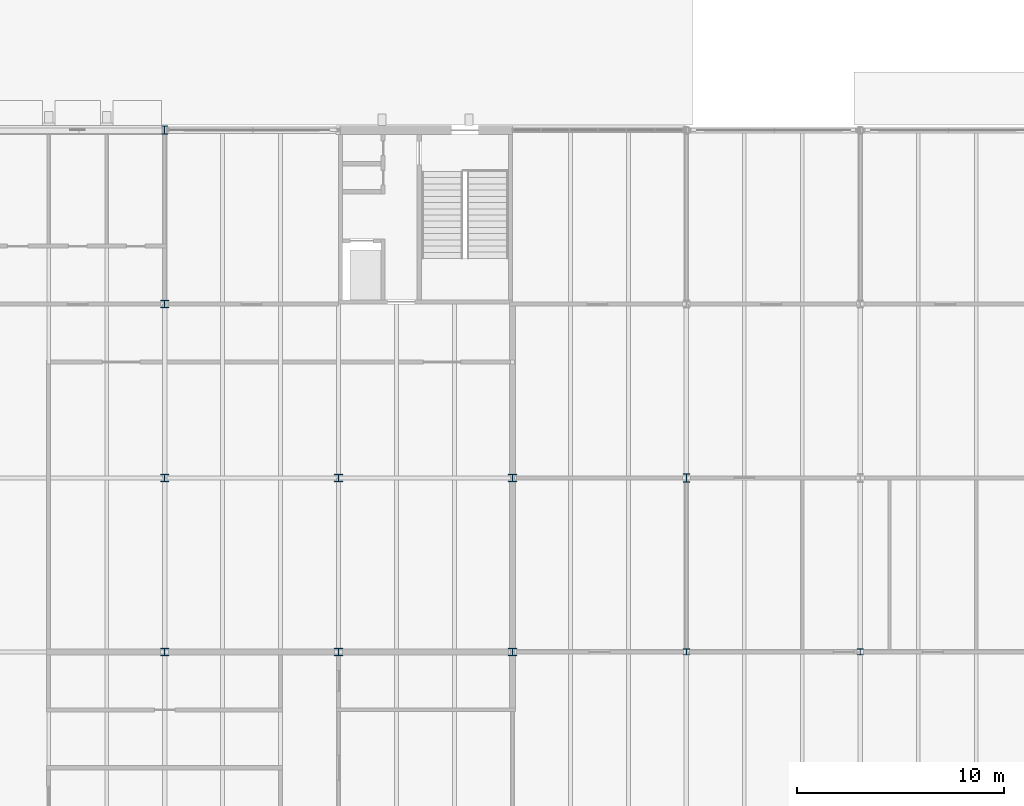
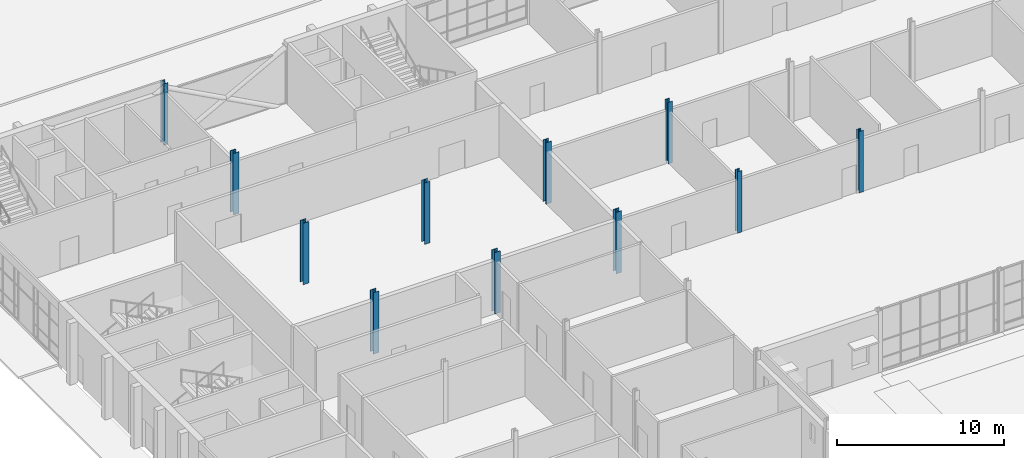
# One storey, part 13 of 116: 11 columns.
"""IFC4 building model written with IfcOpenShell, lengths in metres."""

from ifc_helpers import new_model, si_unit, direction, frame, origin, origin_2d, place, context, subcontext, project, spatial, i_section, extrude, material, material_profile, profile_set, type_object, element, save


model = new_model("IFC4")

# Units and contexts
model_context = context("Model", 3, precision=1e-05, world=origin(), true_north=direction((0.0, 1.0)))
body_context = subcontext(model_context, "Body", "Model", "MODEL_VIEW")
ifc_project = project(units=[si_unit("LENGTHUNIT", "METRE"), si_unit("AREAUNIT", "SQUARE_METRE"), si_unit("VOLUMEUNIT", "CUBIC_METRE"), si_unit("PLANEANGLEUNIT", "RADIAN"), si_unit("MASSUNIT", "GRAM", prefix="KILO")], contexts=[model_context])

# Site, building, storey
site_placement = place(None, origin())
site = spatial("IfcSite", under=ifc_project, at=site_placement, CompositionType="ELEMENT")
building_placement = place(site_placement, origin())
building = spatial("IfcBuilding", under=site, at=building_placement, Name="Ardhachandra Cancer Care Centre", CompositionType="ELEMENT")
storey_placement = place(building_placement, origin())
storey = spatial("IfcBuildingStorey", under=building, at=storey_placement, Name="L00", CompositionType="ELEMENT", Elevation=0.0)

# Columns
ifc_material_1 = material(Name="Steel E350 (IS 2062)", Category="steel")
ifc_material_profile_1 = material_profile(ifc_material_1, i_section(OverallWidth=0.300048828125, OverallDepth=0.300048828125, WebThickness=0.010986328125, FlangeThickness=0.01904296875, FilletRadius=0.027099609375, at=origin_2d()), Name="WPB 300x300x117.03")
ifc_profile_set_1 = profile_set([ifc_material_profile_1], Name="Steel E350 (IS 2062)")
column_type_1 = type_object("IfcColumnType", Name="Column WPB 300x300x117.03", PredefinedType="COLUMN", material=ifc_profile_set_1)
for number, where, z_axis, x_axis, name in (
    (1, (52.800048828125, 71.39990234375, 0.0), (0.0, 0.0, 1.0), (1.0, 0.0, 0.0), "Column H6 L00"),
    (2, (61.199951171875, 71.39990234375, 0.0), (0.0, 0.0, 1.0), (1.0, 0.0, 0.0), "Column H7 L00"),
):
    element("IfcColumn", number, at=place(storey_placement, frame(where, z_axis=z_axis, x_axis=x_axis)), inside=storey, type_object=column_type_1, Name=name, PredefinedType="COLUMN", context=body_context, shape_type="SweptSolid", body=[
        extrude(i_section(OverallWidth=0.300048828125, OverallDepth=0.300048828125, WebThickness=0.010986328125, FlangeThickness=0.01904296875, FilletRadius=0.027099609375, at=origin_2d()), origin(), (0.0, 0.0, 1.0), 4.5),
    ])
ifc_material_2 = material(Name="Steel E350 (IS 2062)", Category="steel")
ifc_material_profile_2 = material_profile(ifc_material_2, i_section(OverallWidth=0.300048828125, OverallDepth=0.39990234375, WebThickness=0.013427734375, FlangeThickness=0.02392578125, FilletRadius=0.027099609375, at=origin_2d()), Name="WPB 400x300x155.26")
ifc_profile_set_2 = profile_set([ifc_material_profile_2], Name="Steel E350 (IS 2062)")
column_type_2 = type_object("IfcColumnType", Name="Column WPB 400x300x155.26", PredefinedType="COLUMN", material=ifc_profile_set_2)
for number, where, z_axis, x_axis, name in (
    (3, (52.800048828125, 79.800048828125, 0.0), (0.0, 0.0, 1.0), (1.0, 0.0, 0.0), "Column J6 L00"),
    (4, (27.60009765625, 96.60009765625, 0.0), (0.0, 0.0, 1.0), (1.0, 0.0, 0.0), "Column L3 L00"),
):
    element("IfcColumn", number, at=place(storey_placement, frame(where, z_axis=z_axis, x_axis=x_axis)), inside=storey, type_object=column_type_2, Name=name, PredefinedType="COLUMN", context=body_context, shape_type="SweptSolid", body=[
        extrude(i_section(OverallWidth=0.300048828125, OverallDepth=0.39990234375, WebThickness=0.013427734375, FlangeThickness=0.02392578125, FilletRadius=0.027099609375, at=origin_2d()), origin(), (0.0, 0.0, 1.0), 4.5),
    ])
ifc_material_3 = material(Name="Steel E350 (IS 2062)", Category="steel")
ifc_material_profile_3 = material_profile(ifc_material_3, i_section(OverallWidth=0.39111328125, OverallDepth=0.367919921875, WebThickness=0.014892578125, FlangeThickness=0.024169921875, FilletRadius=0.027099609375, at=origin_2d()), Name="WPB 400x400x191.10")
ifc_profile_set_3 = profile_set([ifc_material_profile_3], Name="Steel E350 (IS 2062)")
column_type_3 = type_object("IfcColumnType", Name="Column WPB 400x400x191.10", PredefinedType="COLUMN", material=ifc_profile_set_3)
for number, where, z_axis, x_axis, name in (
    (5, (27.60009765625, 71.39990234375, 0.0), (0.0, 0.0, 1.0), (1.0, 0.0, 0.0), "Column H3 L00"),
    (6, (36.0, 71.39990234375, 0.0), (0.0, 0.0, 1.0), (1.0, 0.0, 0.0), "Column H4 L00"),
    (7, (44.39990234375, 71.39990234375, 0.0), (0.0, 0.0, 1.0), (1.0, 0.0, 0.0), "Column H5 L00"),
    (8, (27.60009765625, 79.800048828125, 0.0), (0.0, 0.0, 1.0), (1.0, 0.0, 0.0), "Column J3 L00"),
    (9, (36.0, 79.800048828125, 0.0), (0.0, 0.0, 1.0), (1.0, 0.0, 0.0), "Column J4 L00"),
    (10, (44.39990234375, 79.800048828125, 0.0), (0.0, 0.0, 1.0), (1.0, 0.0, 0.0), "Column J5 L00"),
    (11, (27.60009765625, 88.199951171875, 0.0), (0.0, 0.0, 1.0), (1.0, 0.0, 0.0), "Column K3 L00"),
):
    element("IfcColumn", number, at=place(storey_placement, frame(where, z_axis=z_axis, x_axis=x_axis)), inside=storey, type_object=column_type_3, Name=name, PredefinedType="COLUMN", context=body_context, shape_type="SweptSolid", body=[
        extrude(i_section(OverallWidth=0.39111328125, OverallDepth=0.367919921875, WebThickness=0.014892578125, FlangeThickness=0.024169921875, FilletRadius=0.027099609375, at=origin_2d()), origin(), (0.0, 0.0, 1.0), 4.5),
    ])

save(model, "model.ifc")
